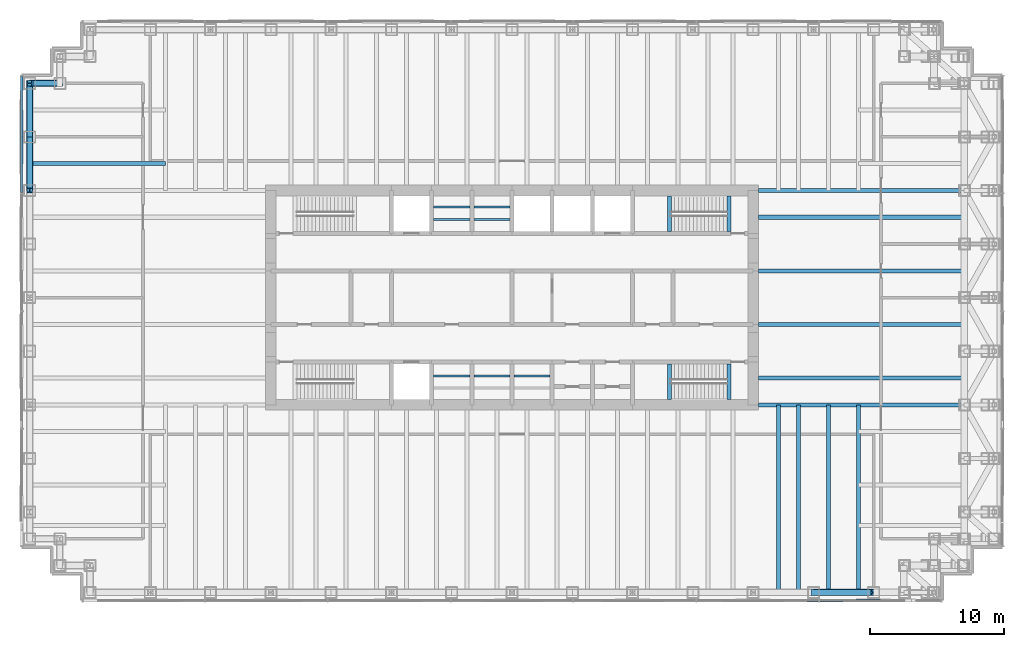
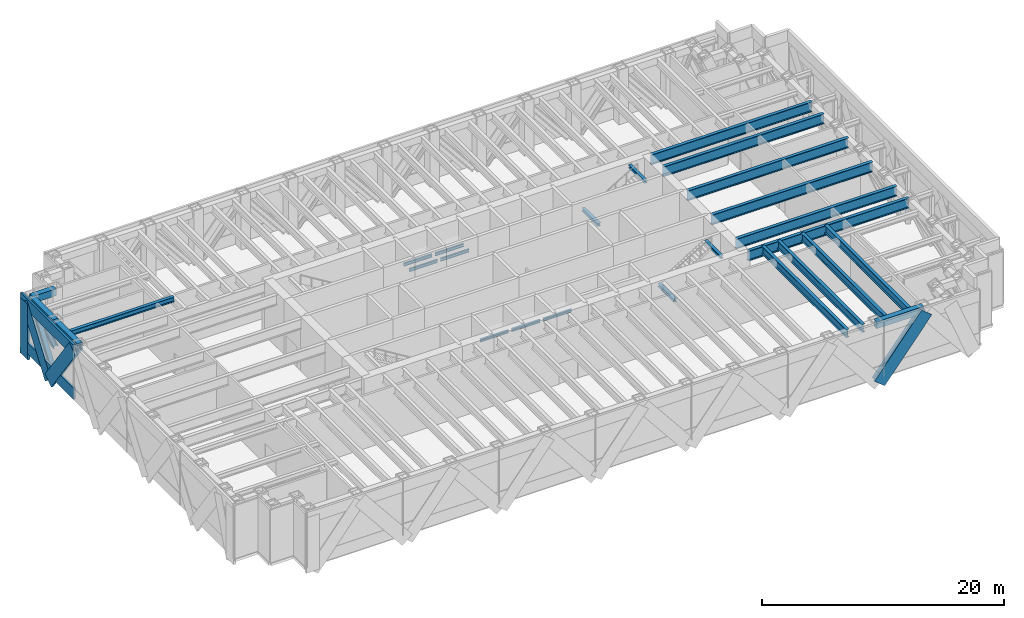
# One storey, part 4 of 17: 26 beams, 10 members, 2 elements without a shape of their own.
"""IFC4 building model written with IfcOpenShell, lengths in metres."""

from ifc_helpers import new_model, si_unit, direction, frame, origin, origin_2d, place, context, subcontext, project, spatial, rectangle, hollow_rectangle, i_section, extrude, material, material_profile, profile_set, type_object, element, aggregate, save


model = new_model("IFC4")

# Units and contexts
model_context = context("Model", 3, precision=1e-05, world=origin(), true_north=direction((0.0, 1.0)))
body_context = subcontext(model_context, "Body", "Model", "MODEL_VIEW")
ifc_project = project(units=[si_unit("LENGTHUNIT", "METRE"), si_unit("AREAUNIT", "SQUARE_METRE"), si_unit("VOLUMEUNIT", "CUBIC_METRE"), si_unit("PLANEANGLEUNIT", "RADIAN"), si_unit("MASSUNIT", "GRAM", prefix="KILO")], contexts=[model_context])

# Site, building, storey
site_placement = place(None, origin())
site = spatial("IfcSite", under=ifc_project, at=site_placement, CompositionType="ELEMENT")
building_placement = place(site_placement, origin())
building = spatial("IfcBuilding", under=site, at=building_placement, Name="Rheinbord Bourse Tower", CompositionType="ELEMENT")
storey_placement = place(building_placement, frame((0.0, 0.0, 265.60009765625)))
storey = spatial("IfcBuildingStorey", under=building, at=storey_placement, Name="L60", CompositionType="ELEMENT", Elevation=265.60009765625)

# Beams
ifc_material_1 = material(Name="Steel S460M", Category="steel")
ifc_material_profile_1 = material_profile(ifc_material_1, hollow_rectangle(XDim=0.5, YDim=0.699951171875, WallThickness=0.0400390625, at=origin_2d()), Name="BOX 700x500x40")
ifc_profile_set_1 = profile_set([ifc_material_profile_1], Name="Steel S460M")
beam_type_1 = type_object("IfcBeamType", Name="BELT CHORD BOX 700x500x40", PredefinedType="SPANDREL", material=ifc_profile_set_1)
beam_1_placement = place(storey_placement, frame((58.5, 2.0, 4.989990234375), z_axis=(1.0, 0.0, 0.0), x_axis=(0.0, 1.0, 0.0)))
element("IfcBeam", 1, at=beam_1_placement, inside=storey, type_object=beam_type_1, Name="Spandrel S-58.5-S-63 under L61", PredefinedType="SPANDREL", context=body_context, shape_type="SweptSolid", body=[
    extrude(hollow_rectangle(XDim=0.5, YDim=0.699951171875, WallThickness=0.0400390625, at=origin_2d()), origin(), (0.0, 0.0, 1.0), 4.5),
])
beam_2_placement = place(storey_placement, frame((2.25, 40.0, 4.989990234375), z_axis=(-1.0, 0.0, 0.0), x_axis=(0.0, -1.0, 0.0)))
element("IfcBeam", 2, at=beam_2_placement, inside=storey, type_object=beam_type_1, Name="Spandrel NW-B-NW-A under L61", PredefinedType="SPANDREL", context=body_context, shape_type="SweptSolid", body=[
    extrude(hollow_rectangle(XDim=0.5, YDim=0.699951171875, WallThickness=0.0400390625, at=origin_2d()), origin(), (0.0, 0.0, 1.0), 2.25),
])
for number, where, z_axis, x_axis, name in (
    (3, (0.0, 40.0, 4.989990234375), (0.0, -1.0, 0.0), (1.0, 0.0, 0.0), "Spandrel NW-A-W-36 under L61"),
    (4, (0.0, 36.0, 4.989990234375), (0.0, -1.0, 0.0), (1.0, 0.0, 0.0), "Spandrel W-36-W-32 under L61"),
):
    element("IfcBeam", number, at=place(storey_placement, frame(where, z_axis=z_axis, x_axis=x_axis)), inside=storey, type_object=beam_type_1, Name=name, PredefinedType="SPANDREL", context=body_context, shape_type="SweptSolid", body=[
        extrude(hollow_rectangle(XDim=0.5, YDim=0.699951171875, WallThickness=0.0400390625, at=origin_2d()), origin(), (0.0, 0.0, 1.0), 4.0),
    ])

# Members
ifc_material_2 = material(Name="Steel S460", Category="steel")
ifc_material_profile_2 = material_profile(ifc_material_2, i_section(OverallWidth=0.431884765625, OverallDepth=0.498046875, WebThickness=0.0556640625, FlangeThickness=0.0888671875, at=origin_2d()), Name="HD 400x744")
ifc_profile_set_2 = profile_set([ifc_material_profile_2], Name="Steel S460")
member_type_1 = type_object("IfcMemberType", Name="BELT DIAGONAL HD 400x744", PredefinedType="STRUT", material=ifc_profile_set_2)
member_1_placement = place(storey_placement, frame((58.5, 2.0, -0.60009765625), z_axis=(0.627065297878, 0.0, 0.778966695178), x_axis=(0.0, 1.0, 0.0)))
element("IfcMember", 5, at=member_1_placement, inside=storey, type_object=member_type_1, Name="Belt truss diagonal S-58.5-S-63 L60", PredefinedType="STRUT", context=body_context, shape_type="SweptSolid", body=[
    extrude(i_section(OverallWidth=0.431884765625, OverallDepth=0.498046875, WebThickness=0.0556640625, FlangeThickness=0.0888671875, at=origin_2d()), origin(), (0.0, 0.0, 1.0), 7.17626953125),
])
member_2_placement = place(storey_placement, frame((2.25, 40.0, -0.60009765625), z_axis=(-0.37338763268, 0.0, 0.92767541509), x_axis=(0.0, -1.0, 0.0)))
element("IfcMember", 6, at=member_2_placement, inside=storey, type_object=member_type_1, Name="Belt truss diagonal NW-B-NW-A L60", PredefinedType="STRUT", context=body_context, shape_type="SweptSolid", body=[
    extrude(i_section(OverallWidth=0.431884765625, OverallDepth=0.498046875, WebThickness=0.0556640625, FlangeThickness=0.0888671875, at=origin_2d()), origin(), (0.0, 0.0, 1.0), 6.02587890625),
])
for number, where, z_axis, x_axis, name in (
    (7, (0.0, 36.0, -0.60009765625), (0.0, 0.581920023079, 0.813246018582), (-1.0, 0.0, 0.0), "Belt truss diagonal NW-A-W-36 L60"),
    (8, (0.0, 36.0, -0.60009765625), (0.0, -0.581920023079, 0.813246018582), (1.0, 0.0, 0.0), "Belt truss diagonal W-36-W-32 L60"),
):
    element("IfcMember", number, at=place(storey_placement, frame(where, z_axis=z_axis, x_axis=x_axis)), inside=storey, type_object=member_type_1, Name=name, PredefinedType="STRUT", context=body_context, shape_type="SweptSolid", body=[
        extrude(i_section(OverallWidth=0.431884765625, OverallDepth=0.498046875, WebThickness=0.0556640625, FlangeThickness=0.0888671875, at=origin_2d()), origin(), (0.0, 0.0, 1.0), 6.873779296875),
    ])

# Curtain wall, member
ifc_material_3 = material(Name="Dark glass and black aluminium", Category="aluminium")
curtain_wall_type = type_object("IfcCurtainWallType", Name="CW5 DARK GLASS CURTAIN WALL", PredefinedType="USERDEFINED", material=ifc_material_3)
curtain_wall_1_placement = place(storey_placement, origin())
curtain_wall_1 = element("IfcCurtainWall", 9, at=curtain_wall_1_placement, inside=storey, type_object=curtain_wall_type, Name="Curtain wall CW5 S L60", ObjectType="UNITISED CURTAIN WALL", PredefinedType="USERDEFINED")
ifc_material_4 = material(Name="Black anodised aluminium", Category="aluminium")
ifc_material_profile_3 = material_profile(ifc_material_4, rectangle(XDim=0.199951171875, YDim=1.259033203125, at=origin_2d()), Name="CW5 DIAGONAL MULLION 1259x200")
ifc_profile_set_3 = profile_set([ifc_material_profile_3], Name="Black anodised aluminium")
member_type_2 = type_object("IfcMemberType", Name="CW5 BLACK DIAGONAL MULLION", PredefinedType="USERDEFINED", material=ifc_profile_set_3)
member_3_placement = place(storey_placement, frame((58.5, 1.39990234375, -0.60009765625), z_axis=(0.627065297878, 0.0, 0.778966695178), x_axis=(0.0, 1.0, 0.0)))
member_3 = element("IfcMember", 10, at=member_3_placement, type_object=member_type_2, Name="CW5 diagonal mullion belt S-58.5", ObjectType="DIAGONAL MULLION", PredefinedType="USERDEFINED", context=body_context, shape_type="SweptSolid", body=[
    extrude(rectangle(XDim=0.199951171875, YDim=1.259033203125, at=origin_2d()), origin(), (0.0, 0.0, 1.0), 7.17626953125),
])
aggregate(curtain_wall_1, [member_3])

# Curtain wall, members
curtain_wall_2_placement = place(storey_placement, origin())
curtain_wall_2 = element("IfcCurtainWall", 11, at=curtain_wall_2_placement, inside=storey, type_object=curtain_wall_type, Name="Curtain wall CW5 W L60", ObjectType="UNITISED CURTAIN WALL", PredefinedType="USERDEFINED")
member_4_placement = place(storey_placement, frame((-0.60009765625, 40.0, -0.60009765625), z_axis=(0.0, 0.0, 1.0), x_axis=(1.0, 0.0, 0.0)))
member_4 = element("IfcMember", 12, at=member_4_placement, type_object=member_type_2, Name="CW5 diagonal mullion belt NW-B", ObjectType="DIAGONAL MULLION", PredefinedType="USERDEFINED", context=body_context, shape_type="SweptSolid", body=[
    extrude(rectangle(XDim=0.199951171875, YDim=1.259033203125, at=origin_2d()), origin(), (0.0, 0.0, 1.0), 5.590087890625),
])
member_5_placement = place(storey_placement, frame((-0.60009765625, 36.0, -0.60009765625), z_axis=(0.0, 0.581920023079, 0.813246018582), x_axis=(-1.0, 0.0, 0.0)))
member_5 = element("IfcMember", 13, at=member_5_placement, type_object=member_type_2, Name="CW5 diagonal mullion belt NW-A", ObjectType="DIAGONAL MULLION", PredefinedType="USERDEFINED", context=body_context, shape_type="SweptSolid", body=[
    extrude(rectangle(XDim=0.199951171875, YDim=1.259033203125, at=origin_2d()), origin(), (0.0, 0.0, 1.0), 6.873779296875),
])
member_6_placement = place(storey_placement, frame((-0.60009765625, 36.0, -0.60009765625), z_axis=(0.0, -0.581920023079, 0.813246018582), x_axis=(1.0, 0.0, 0.0)))
member_6 = element("IfcMember", 14, at=member_6_placement, type_object=member_type_2, Name="CW5 diagonal mullion belt W-36", ObjectType="DIAGONAL MULLION", PredefinedType="USERDEFINED", context=body_context, shape_type="SweptSolid", body=[
    extrude(rectangle(XDim=0.199951171875, YDim=1.259033203125, at=origin_2d()), origin(), (0.0, 0.0, 1.0), 6.873779296875),
])
ifc_material_5 = material(Name="Black anodised aluminium", Category="aluminium")
ifc_material_profile_4 = material_profile(ifc_material_5, rectangle(XDim=0.199951171875, YDim=1.14990234375, at=origin_2d()), Name="CW5 TRANSOM 1150x200")
ifc_profile_set_4 = profile_set([ifc_material_profile_4], Name="Black anodised aluminium")
member_type_3 = type_object("IfcMemberType", Name="CW5 BLACK TRANSOM", PredefinedType="USERDEFINED", material=ifc_profile_set_4)
member_7_placement = place(storey_placement, frame((-0.60009765625, 40.52001953125, 0.574951171875), z_axis=(0.0, -1.0, 0.0), x_axis=(1.0, 0.0, 0.0)))
member_7 = element("IfcMember", 15, at=member_7_placement, type_object=member_type_3, Name="CW5 transom 1.1", ObjectType="TRANSOM", PredefinedType="USERDEFINED", context=body_context, shape_type="SweptSolid", body=[
    extrude(rectangle(XDim=0.199951171875, YDim=1.14990234375, at=origin_2d()), origin(), (0.0, 0.0, 1.0), 8.679931640625),
])
member_8_placement = place(storey_placement, frame((-0.60009765625, 40.52001953125, 4.9248046875), z_axis=(0.0, -1.0, 0.0), x_axis=(1.0, 0.0, 0.0)))
member_8 = element("IfcMember", 16, at=member_8_placement, type_object=member_type_3, Name="CW5 transom 1.2", ObjectType="TRANSOM", PredefinedType="USERDEFINED", context=body_context, shape_type="SweptSolid", body=[
    extrude(rectangle(XDim=0.199951171875, YDim=1.14990234375, at=origin_2d()), origin(), (0.0, 0.0, 1.0), 8.679931640625),
])
aggregate(curtain_wall_2, [member_7, member_8, member_4, member_5, member_6])

# Beams
ifc_material_6 = material(Name="Steel S460", Category="steel")
ifc_material_profile_5 = material_profile(ifc_material_6, i_section(OverallWidth=0.302001953125, OverallDepth=1.008056640625, WebThickness=0.02099609375, FlangeThickness=0.0400390625, at=origin_2d()), Name="HEM 1000")
ifc_profile_set_5 = profile_set([ifc_material_profile_5], Name="Steel S460")
beam_type_2 = type_object("IfcBeamType", Name="END BEAM HEM 1000", PredefinedType="BEAM", material=ifc_profile_set_5)
for number, where, z_axis, x_axis, name in (
    (17, (54.39990234375, 18.0, 4.8359375), (1.0, 0.0, 0.0), (0.0, 1.0, 0.0), "End beam east 18 L61"),
    (18, (54.39990234375, 22.0, 4.8359375), (1.0, 0.0, 0.0), (0.0, 1.0, 0.0), "End beam east 22 L61"),
    (19, (54.39990234375, 26.0, 4.8359375), (1.0, 0.0, 0.0), (0.0, 1.0, 0.0), "End beam east 26 L61"),
    (20, (54.39990234375, 30.0, 4.8359375), (1.0, 0.0, 0.0), (0.0, 1.0, 0.0), "End beam east 30 L61"),
):
    element("IfcBeam", number, at=place(storey_placement, frame(where, z_axis=z_axis, x_axis=x_axis)), inside=storey, type_object=beam_type_2, Name=name, PredefinedType="BEAM", context=body_context, shape_type="SweptSolid", body=[
        extrude(i_section(OverallWidth=0.302001953125, OverallDepth=1.008056640625, WebThickness=0.02099609375, FlangeThickness=0.0400390625, at=origin_2d()), origin(), (0.0, 0.0, 1.0), 15.35009765625),
    ])
ifc_material_7 = material(Name="Steel S460", Category="steel")
ifc_material_profile_6 = material_profile(ifc_material_7, i_section(OverallWidth=0.300048828125, OverallDepth=0.800048828125, WebThickness=0.017578125, FlangeThickness=0.032958984375, at=origin_2d()), Name="HEB 800")
ifc_profile_set_6 = profile_set([ifc_material_profile_6], Name="Steel S460")
beam_type_3 = type_object("IfcBeamType", Name="FLOOR BEAM HEB 800", PredefinedType="BEAM", material=ifc_profile_set_6)
for number, where, z_axis, x_axis, name in (
    (21, (55.875, 2.0, 4.93994140625), (0.0, 1.0, 0.0), (-1.0, 0.0, 0.0), "Floor beam S-54a L61"),
    (22, (57.375, 2.0, 4.93994140625), (0.0, 1.0, 0.0), (-1.0, 0.0, 0.0), "Floor beam S-54b L61"),
    (23, (59.625, 2.0, 4.93994140625), (0.0, 1.0, 0.0), (-1.0, 0.0, 0.0), "Floor beam S-58.5a L61"),
    (24, (61.875, 2.0, 4.93994140625), (0.0, 1.0, 0.0), (-1.0, 0.0, 0.0), "Floor beam S-58.5b L61"),
):
    element("IfcBeam", number, at=place(storey_placement, frame(where, z_axis=z_axis, x_axis=x_axis)), inside=storey, type_object=beam_type_3, Name=name, PredefinedType="BEAM", context=body_context, shape_type="SweptSolid", body=[
        extrude(i_section(OverallWidth=0.300048828125, OverallDepth=0.800048828125, WebThickness=0.017578125, FlangeThickness=0.032958984375, at=origin_2d()), origin(), (0.0, 0.0, 1.0), 14.0),
    ])
ifc_material_8 = material(Name="Steel S460", Category="steel")
ifc_material_profile_7 = material_profile(ifc_material_8, i_section(OverallWidth=0.302001953125, OverallDepth=1.008056640625, WebThickness=0.02099609375, FlangeThickness=0.0400390625, at=origin_2d()), Name="HEM 1000")
ifc_profile_set_7 = profile_set([ifc_material_profile_7], Name="Steel S460")
beam_type_4 = type_object("IfcBeamType", Name="GIRDER HEM 1000", PredefinedType="BEAM", material=ifc_profile_set_7)
for number, where, z_axis, x_axis, name in (
    (25, (54.39990234375, 16.0, 4.8359375), (1.0, 0.0, 0.0), (0.0, 1.0, 0.0), "Girder east 16 L61"),
    (26, (54.39990234375, 32.0, 4.8359375), (1.0, 0.0, 0.0), (0.0, 1.0, 0.0), "Girder east 32 L61"),
):
    element("IfcBeam", number, at=place(storey_placement, frame(where, z_axis=z_axis, x_axis=x_axis)), inside=storey, type_object=beam_type_4, Name=name, PredefinedType="BEAM", context=body_context, shape_type="SweptSolid", body=[
        extrude(i_section(OverallWidth=0.302001953125, OverallDepth=1.008056640625, WebThickness=0.02099609375, FlangeThickness=0.0400390625, at=origin_2d()), origin(), (0.0, 0.0, 1.0), 15.35009765625),
    ])
ifc_material_9 = material(Name="Steel S460", Category="steel")
ifc_material_profile_8 = material_profile(ifc_material_9, i_section(OverallWidth=0.300048828125, OverallDepth=0.300048828125, WebThickness=0.010986328125, FlangeThickness=0.01904296875, at=origin_2d()), Name="HEB 300")
ifc_profile_set_8 = profile_set([ifc_material_profile_8], Name="Steel S460")
beam_type_5 = type_object("IfcBeamType", Name="LANDING TRIMMER HEB 300", PredefinedType="BEAM", material=ifc_profile_set_8)
for number, where, z_axis, x_axis, name in (
    (27, (47.75, 16.39990234375, 2.39990234375), (0.0, 1.0, 0.0), (-1.0, 0.0, 0.0), "Landing trimmer ST3 L60"),
    (28, (52.199951171875, 16.39990234375, 5.18994140625), (0.0, 1.0, 0.0), (-1.0, 0.0, 0.0), "Well trimmer ST3 under L61"),
    (29, (47.75, 28.949951171875, 2.39990234375), (0.0, 1.0, 0.0), (-1.0, 0.0, 0.0), "Landing trimmer ST4 L60"),
    (30, (52.199951171875, 28.949951171875, 5.18994140625), (0.0, 1.0, 0.0), (-1.0, 0.0, 0.0), "Well trimmer ST4 under L61"),
):
    element("IfcBeam", number, at=place(storey_placement, frame(where, z_axis=z_axis, x_axis=x_axis)), inside=storey, type_object=beam_type_5, Name=name, PredefinedType="BEAM", context=body_context, shape_type="SweptSolid", body=[
        extrude(i_section(OverallWidth=0.300048828125, OverallDepth=0.300048828125, WebThickness=0.010986328125, FlangeThickness=0.01904296875, at=origin_2d()), origin(), (0.0, 0.0, 1.0), 2.650146484375),
    ])
ifc_material_10 = material(Name="Steel S460", Category="steel")
ifc_material_profile_9 = material_profile(ifc_material_10, i_section(OverallWidth=0.14990234375, OverallDepth=0.300048828125, WebThickness=0.007080078125, FlangeThickness=0.0107421875, at=origin_2d()), Name="IPE 300")
ifc_profile_set_9 = profile_set([ifc_material_profile_9], Name="Steel S460")
beam_type_6 = type_object("IfcBeamType", Name="PIT BEAM IPE 300", PredefinedType="BEAM", material=ifc_profile_set_9)
for number, where, z_axis, x_axis, name in (
    (31, (30.14990234375, 18.14990234375, 3.449951171875), (1.0, 0.0, 0.0), (0.0, 1.0, 0.0), "Pit beam 2 PD1"),
    (32, (33.14990234375, 18.14990234375, 3.449951171875), (1.0, 0.0, 0.0), (0.0, 1.0, 0.0), "Pit beam 2 PD2"),
    (33, (36.14990234375, 18.14990234375, 3.449951171875), (1.0, 0.0, 0.0), (0.0, 1.0, 0.0), "Pit beam 2 PD3"),
    (34, (30.14990234375, 29.85009765625, 3.449951171875), (1.0, 0.0, 0.0), (0.0, 1.0, 0.0), "Pit beam 1 PD4"),
    (35, (30.14990234375, 30.75, 3.449951171875), (1.0, 0.0, 0.0), (0.0, 1.0, 0.0), "Pit beam 2 PD4"),
    (36, (33.14990234375, 29.85009765625, 3.449951171875), (1.0, 0.0, 0.0), (0.0, 1.0, 0.0), "Pit beam 1 PD5"),
    (37, (33.14990234375, 30.75, 3.449951171875), (1.0, 0.0, 0.0), (0.0, 1.0, 0.0), "Pit beam 2 PD5"),
):
    element("IfcBeam", number, at=place(storey_placement, frame(where, z_axis=z_axis, x_axis=x_axis)), inside=storey, type_object=beam_type_6, Name=name, PredefinedType="BEAM", context=body_context, shape_type="SweptSolid", body=[
        extrude(i_section(OverallWidth=0.14990234375, OverallDepth=0.300048828125, WebThickness=0.007080078125, FlangeThickness=0.0107421875, at=origin_2d()), origin(), (0.0, 0.0, 1.0), 2.7001953125),
    ])
ifc_material_11 = material(Name="Steel S460", Category="steel")
ifc_material_profile_10 = material_profile(ifc_material_11, i_section(OverallWidth=0.300048828125, OverallDepth=0.5, WebThickness=0.014404296875, FlangeThickness=0.028076171875, at=origin_2d()), Name="HEB 500")
ifc_profile_set_10 = profile_set([ifc_material_profile_10], Name="Steel S460")
beam_type_7 = type_object("IfcBeamType", Name="TIE BEAM HEB 500", PredefinedType="JOIST", material=ifc_profile_set_10)
beam_3_placement = place(storey_placement, frame((0.0, 34.0, 5.08984375), z_axis=(1.0, 0.0, 0.0), x_axis=(0.0, 1.0, 0.0)))
element("IfcBeam", 38, at=beam_3_placement, inside=storey, type_object=beam_type_7, Name="Tie west 34 L61", PredefinedType="JOIST", context=body_context, shape_type="SweptSolid", body=[
    extrude(i_section(OverallWidth=0.300048828125, OverallDepth=0.5, WebThickness=0.014404296875, FlangeThickness=0.028076171875, at=origin_2d()), origin(), (0.0, 0.0, 1.0), 10.125),
])

save(model, "model.ifc")
